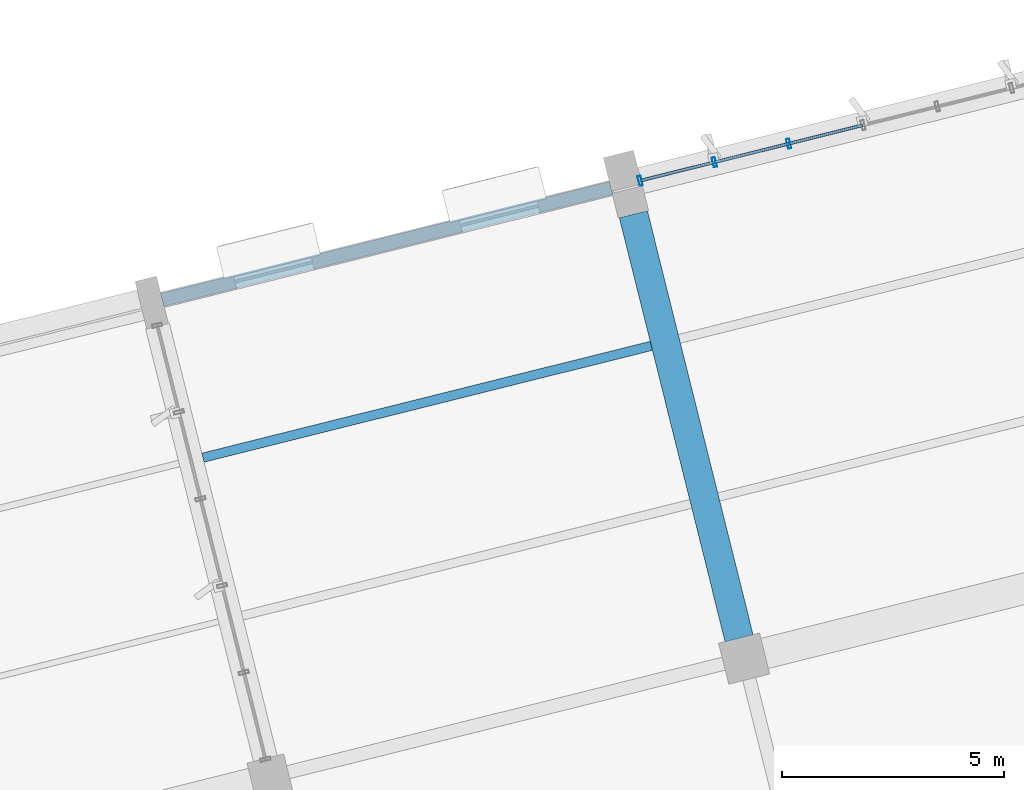
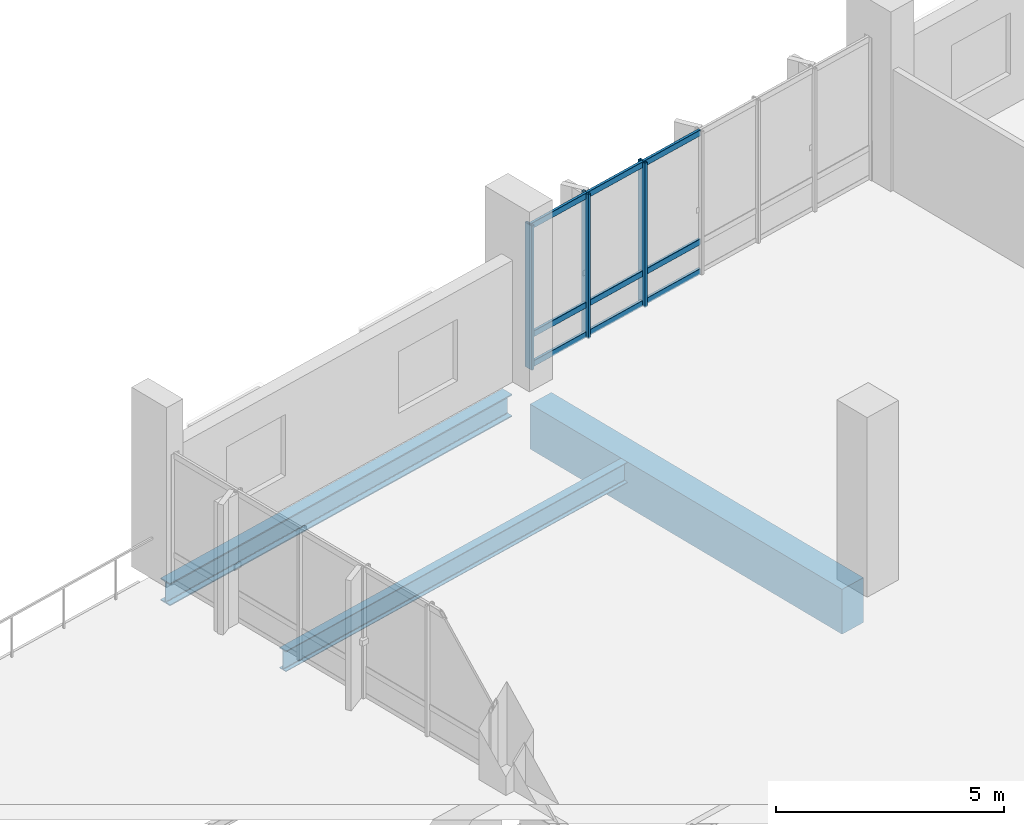
# One storey, part 91 of 137: 12 members, 3 beams, 1 element without a shape of its own.
"""IFC4 building model written with IfcOpenShell, lengths in metres."""

from ifc_helpers import new_model, si_unit, direction, frame, origin, origin_2d, place, context, subcontext, project, spatial, rectangle, hollow_rectangle, i_section, extrude, material, layer, layer_set, material_profile, profile_set, type_object, element, aggregate, save


model = new_model("IFC4")

# Units and contexts
model_context = context("Model", 3, precision=1e-05, world=origin(), true_north=direction((0.0, 1.0)))
body_context = subcontext(model_context, "Body", "Model", "MODEL_VIEW")
ifc_project = project(units=[si_unit("LENGTHUNIT", "METRE"), si_unit("AREAUNIT", "SQUARE_METRE"), si_unit("VOLUMEUNIT", "CUBIC_METRE"), si_unit("PLANEANGLEUNIT", "RADIAN"), si_unit("MASSUNIT", "GRAM", prefix="KILO")], contexts=[model_context])

# Site, building, storey
site_placement = place(None, origin())
site = spatial("IfcSite", under=ifc_project, at=site_placement, CompositionType="ELEMENT")
building_placement = place(site_placement, origin())
building = spatial("IfcBuilding", under=site, at=building_placement, Name="Khorjan Park Terminus", CompositionType="ELEMENT")
storey_placement = place(building_placement, frame((0.0, 0.0, 11.4)))
storey = spatial("IfcBuildingStorey", under=building, at=storey_placement, Name="L02", CompositionType="ELEMENT", Elevation=11.4)

# Beams
ifc_material_1 = material(Name="Steel S355", Category="steel")
ifc_material_profile_1 = material_profile(ifc_material_1, i_section(OverallWidth=0.3, OverallDepth=0.6, WebThickness=0.0155, FlangeThickness=0.03, FilletRadius=0.027, at=origin_2d()), Name="HEB 600")
ifc_profile_set_1 = profile_set([ifc_material_profile_1], Name="Steel S355")
beam_type_1 = type_object("IfcBeamType", Name="BM-HEB600", PredefinedType="BEAM", material=ifc_profile_set_1)
beam_1_placement = place(storey_placement, frame((171.6174, 71.4211, -0.64), z_axis=(0.970296003428, 0.241920784001, 0.0), x_axis=(-0.241920784001, 0.970296003428, 0.0)))
element("IfcBeam", 1, at=beam_1_placement, inside=storey, type_object=beam_type_1, Name="Primary skew-grid floor girder SB-B60 (L02)", PredefinedType="BEAM", context=body_context, shape_type="SweptSolid", body=[
    extrude(i_section(OverallWidth=0.3, OverallDepth=0.6, WebThickness=0.0155, FlangeThickness=0.03, FilletRadius=0.027, at=origin_2d()), origin(), (0.0, 0.0, 1.0), 10.41),
])
ifc_material_2 = material(Name="Concrete C40/50", Category="concrete")
ifc_material_profile_2 = material_profile(ifc_material_2, rectangle(XDim=0.65, YDim=1.2, at=origin_2d()), Name="RC 650x1200")
ifc_profile_set_2 = profile_set([ifc_material_profile_2], Name="Concrete C40/50")
beam_type_2 = type_object("IfcBeamType", Name="BM-RC650x1200", PredefinedType="BEAM", material=ifc_profile_set_2)
beam_2_placement = place(storey_placement, frame((184.6004, 63.8057, -0.94), z_axis=(-0.241930300515, 0.970293630657, 0.0), x_axis=(-0.970293630657, -0.241930300515, 0.0)))
element("IfcBeam", 2, at=beam_2_placement, inside=storey, type_object=beam_type_2, Name="Primary skew-grid floor girder GB-12 (L02)", PredefinedType="BEAM", context=body_context, shape_type="SweptSolid", body=[
    extrude(rectangle(XDim=0.65, YDim=1.2, at=origin_2d()), origin(), (0.0, 0.0, 1.0), 9.8351),
])
ifc_material_profile_3 = material_profile(ifc_material_1, i_section(OverallWidth=0.21, OverallDepth=0.55, WebThickness=0.0111, FlangeThickness=0.0172, FilletRadius=0.024, at=origin_2d()), Name="IPE 550")
ifc_profile_set_3 = profile_set([ifc_material_profile_3], Name="Steel S355")
beam_type_3 = type_object("IfcBeamType", Name="JS-IPE550", PredefinedType="JOIST", material=ifc_profile_set_3)
beam_3_placement = place(storey_placement, frame((172.5335, 67.8705, -0.615), z_axis=(0.970295586552, 0.241922456002, 0.0), x_axis=(-0.241922456002, 0.970295586552, 0.0)))
element("IfcBeam", 3, at=beam_3_placement, inside=storey, type_object=beam_type_3, Name="Secondary composite floor joist SJ-55 (L02)", PredefinedType="JOIST", context=body_context, shape_type="SweptSolid", body=[
    extrude(i_section(OverallWidth=0.21, OverallDepth=0.55, WebThickness=0.0111, FlangeThickness=0.0172, FilletRadius=0.024, at=origin_2d()), origin(), (0.0, 0.0, 1.0), 10.4),
])

# Curtain wall, members
ifc_material_3 = material(Name="Anodized Bronze Aluminium", Category="aluminium")
ifc_layer = layer(ifc_material_3, 0.22)
ifc_layer_set = layer_set([ifc_layer], Name="Anodized Bronze Aluminium")
curtain_wall_type = type_object("IfcCurtainWallType", Name="CW-OPS-B", PredefinedType="NOTDEFINED", material=ifc_layer_set)
curtain_wall_placement = place(storey_placement, origin())
curtain_wall = element("IfcCurtainWall", 4, at=curtain_wall_placement, inside=storey, type_object=curtain_wall_type, Name="Unitized curtain wall CW-B (CW-V5-N1-L02-B03)", PredefinedType="NOTDEFINED")
ifc_material_profile_4 = material_profile(ifc_material_3, hollow_rectangle(XDim=0.075, YDim=0.225, WallThickness=0.005, InnerFilletRadius=0.005, OuterFilletRadius=0.01, at=origin_2d()), Name="ALM 75x225x5")
ifc_profile_set_4 = profile_set([ifc_material_profile_4], Name="Anodized Bronze Aluminium")
member_type_1 = type_object("IfcMemberType", Name="ML-ALM-225", PredefinedType="MULLION", material=ifc_profile_set_4)
member_1_placement = place(storey_placement, frame((185.7174, 74.9366, -0.035), z_axis=(0.0, 0.0, 1.0), x_axis=(-0.970295910648, -0.241921156122, 0.0)))
member_1 = element("IfcMember", 5, at=member_1_placement, type_object=member_type_1, Name="Curtain-wall mullion ML-22 (CW-V5-N1-L02-B03-4)", PredefinedType="MULLION", context=body_context, shape_type="SweptSolid", body=[
    extrude(hollow_rectangle(XDim=0.075, YDim=0.225, WallThickness=0.005, InnerFilletRadius=0.005, OuterFilletRadius=0.01, at=origin_2d()), origin(), (0.0, 0.0, 1.0), 3.855),
])
member_2_placement = place(storey_placement, frame((184.0453, 74.5197, -0.035), z_axis=(0.0, 0.0, 1.0), x_axis=(-0.970295910648, -0.241921156122, 0.0)))
member_2 = element("IfcMember", 6, at=member_2_placement, type_object=member_type_1, Name="Curtain-wall mullion ML-22 (CW-V5-N1-L02-B03-5)", PredefinedType="MULLION", context=body_context, shape_type="SweptSolid", body=[
    extrude(hollow_rectangle(XDim=0.075, YDim=0.225, WallThickness=0.005, InnerFilletRadius=0.005, OuterFilletRadius=0.01, at=origin_2d()), origin(), (0.0, 0.0, 1.0), 3.855),
])
member_3_placement = place(storey_placement, frame((182.3732, 74.1028, -0.035), z_axis=(0.0, 0.0, 1.0), x_axis=(-0.970295910648, -0.241921156122, 0.0)))
member_3 = element("IfcMember", 7, at=member_3_placement, type_object=member_type_1, Name="Curtain-wall mullion ML-22 (CW-V5-N1-L02-B03-6)", PredefinedType="MULLION", context=body_context, shape_type="SweptSolid", body=[
    extrude(hollow_rectangle(XDim=0.075, YDim=0.225, WallThickness=0.005, InnerFilletRadius=0.005, OuterFilletRadius=0.01, at=origin_2d()), origin(), (0.0, 0.0, 1.0), 3.855),
])
ifc_material_profile_5 = material_profile(ifc_material_3, hollow_rectangle(XDim=0.07, YDim=0.16, WallThickness=0.004, InnerFilletRadius=0.004, OuterFilletRadius=0.008, at=origin_2d()), Name="ALT 70x160x4")
ifc_profile_set_5 = profile_set([ifc_material_profile_5], Name="Anodized Bronze Aluminium")
member_type_2 = type_object("IfcMemberType", Name="TR-ALT-160", PredefinedType="USERDEFINED", material=ifc_profile_set_5)
member_4_placement = place(storey_placement, frame((187.3895, 75.3535, 0.04), z_axis=(-0.970295910649, -0.241921156121, 0.0), x_axis=(0.241921156121, -0.970295910649, 0.0)))
member_4 = element("IfcMember", 8, at=member_4_placement, type_object=member_type_2, Name="Curtain-wall transom TR-16 (CW-V5-N1-L02-B03-3-1)", ObjectType="TRANSOM", PredefinedType="USERDEFINED", context=body_context, shape_type="SweptSolid", body=[
    extrude(hollow_rectangle(XDim=0.07, YDim=0.16, WallThickness=0.004, InnerFilletRadius=0.004, OuterFilletRadius=0.008, at=origin_2d()), origin(), (0.0, 0.0, 1.0), 1.7233),
])
member_5_placement = place(storey_placement, frame((187.3895, 75.3535, 0.833), z_axis=(-0.970295910649, -0.241921156121, 0.0), x_axis=(0.241921156121, -0.970295910649, 0.0)))
member_5 = element("IfcMember", 9, at=member_5_placement, type_object=member_type_2, Name="Curtain-wall transom TR-16 (CW-V5-N1-L02-B03-3-2)", ObjectType="TRANSOM", PredefinedType="USERDEFINED", context=body_context, shape_type="SweptSolid", body=[
    extrude(hollow_rectangle(XDim=0.07, YDim=0.16, WallThickness=0.004, InnerFilletRadius=0.004, OuterFilletRadius=0.008, at=origin_2d()), origin(), (0.0, 0.0, 1.0), 1.7233),
])
member_6_placement = place(storey_placement, frame((187.3895, 75.3535, 3.745), z_axis=(-0.970295910649, -0.241921156121, 0.0), x_axis=(0.241921156121, -0.970295910649, 0.0)))
member_6 = element("IfcMember", 10, at=member_6_placement, type_object=member_type_2, Name="Curtain-wall transom TR-16 (CW-V5-N1-L02-B03-3-3)", ObjectType="TRANSOM", PredefinedType="USERDEFINED", context=body_context, shape_type="SweptSolid", body=[
    extrude(hollow_rectangle(XDim=0.07, YDim=0.16, WallThickness=0.004, InnerFilletRadius=0.004, OuterFilletRadius=0.008, at=origin_2d()), origin(), (0.0, 0.0, 1.0), 1.7233),
])
member_7_placement = place(storey_placement, frame((185.7174, 74.9366, 0.04), z_axis=(-0.970295910649, -0.241921156121, 0.0), x_axis=(0.241921156121, -0.970295910649, 0.0)))
member_7 = element("IfcMember", 11, at=member_7_placement, type_object=member_type_2, Name="Curtain-wall transom TR-16 (CW-V5-N1-L02-B03-4-1)", ObjectType="TRANSOM", PredefinedType="USERDEFINED", context=body_context, shape_type="SweptSolid", body=[
    extrude(hollow_rectangle(XDim=0.07, YDim=0.16, WallThickness=0.004, InnerFilletRadius=0.004, OuterFilletRadius=0.008, at=origin_2d()), origin(), (0.0, 0.0, 1.0), 1.7233),
])
member_8_placement = place(storey_placement, frame((185.7174, 74.9366, 0.833), z_axis=(-0.970295910649, -0.241921156121, 0.0), x_axis=(0.241921156121, -0.970295910649, 0.0)))
member_8 = element("IfcMember", 12, at=member_8_placement, type_object=member_type_2, Name="Curtain-wall transom TR-16 (CW-V5-N1-L02-B03-4-2)", ObjectType="TRANSOM", PredefinedType="USERDEFINED", context=body_context, shape_type="SweptSolid", body=[
    extrude(hollow_rectangle(XDim=0.07, YDim=0.16, WallThickness=0.004, InnerFilletRadius=0.004, OuterFilletRadius=0.008, at=origin_2d()), origin(), (0.0, 0.0, 1.0), 1.7233),
])
member_9_placement = place(storey_placement, frame((185.7174, 74.9366, 3.745), z_axis=(-0.970295910649, -0.241921156121, 0.0), x_axis=(0.241921156121, -0.970295910649, 0.0)))
member_9 = element("IfcMember", 13, at=member_9_placement, type_object=member_type_2, Name="Curtain-wall transom TR-16 (CW-V5-N1-L02-B03-4-3)", ObjectType="TRANSOM", PredefinedType="USERDEFINED", context=body_context, shape_type="SweptSolid", body=[
    extrude(hollow_rectangle(XDim=0.07, YDim=0.16, WallThickness=0.004, InnerFilletRadius=0.004, OuterFilletRadius=0.008, at=origin_2d()), origin(), (0.0, 0.0, 1.0), 1.7233),
])
member_10_placement = place(storey_placement, frame((184.0453, 74.5197, 0.04), z_axis=(-0.970295910649, -0.241921156121, 0.0), x_axis=(0.241921156121, -0.970295910649, 0.0)))
member_10 = element("IfcMember", 14, at=member_10_placement, type_object=member_type_2, Name="Curtain-wall transom TR-16 (CW-V5-N1-L02-B03-5-1)", ObjectType="TRANSOM", PredefinedType="USERDEFINED", context=body_context, shape_type="SweptSolid", body=[
    extrude(hollow_rectangle(XDim=0.07, YDim=0.16, WallThickness=0.004, InnerFilletRadius=0.004, OuterFilletRadius=0.008, at=origin_2d()), origin(), (0.0, 0.0, 1.0), 1.7233),
])
member_11_placement = place(storey_placement, frame((184.0453, 74.5197, 0.833), z_axis=(-0.970295910649, -0.241921156121, 0.0), x_axis=(0.241921156121, -0.970295910649, 0.0)))
member_11 = element("IfcMember", 15, at=member_11_placement, type_object=member_type_2, Name="Curtain-wall transom TR-16 (CW-V5-N1-L02-B03-5-2)", ObjectType="TRANSOM", PredefinedType="USERDEFINED", context=body_context, shape_type="SweptSolid", body=[
    extrude(hollow_rectangle(XDim=0.07, YDim=0.16, WallThickness=0.004, InnerFilletRadius=0.004, OuterFilletRadius=0.008, at=origin_2d()), origin(), (0.0, 0.0, 1.0), 1.7233),
])
member_12_placement = place(storey_placement, frame((184.0453, 74.5197, 3.745), z_axis=(-0.970295910649, -0.241921156121, 0.0), x_axis=(0.241921156121, -0.970295910649, 0.0)))
member_12 = element("IfcMember", 16, at=member_12_placement, type_object=member_type_2, Name="Curtain-wall transom TR-16 (CW-V5-N1-L02-B03-5-3)", ObjectType="TRANSOM", PredefinedType="USERDEFINED", context=body_context, shape_type="SweptSolid", body=[
    extrude(hollow_rectangle(XDim=0.07, YDim=0.16, WallThickness=0.004, InnerFilletRadius=0.004, OuterFilletRadius=0.008, at=origin_2d()), origin(), (0.0, 0.0, 1.0), 1.7233),
])
aggregate(curtain_wall, [member_1, member_2, member_3, member_4, member_5, member_6, member_7, member_8, member_9, member_10, member_11, member_12])

save(model, "model.ifc")
